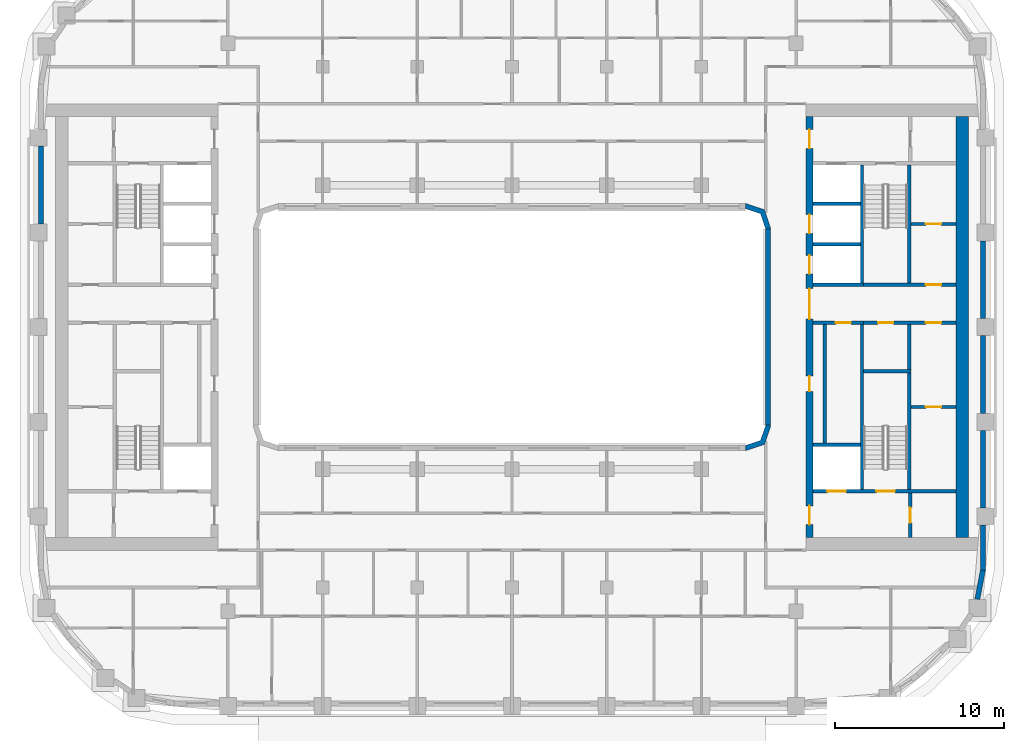
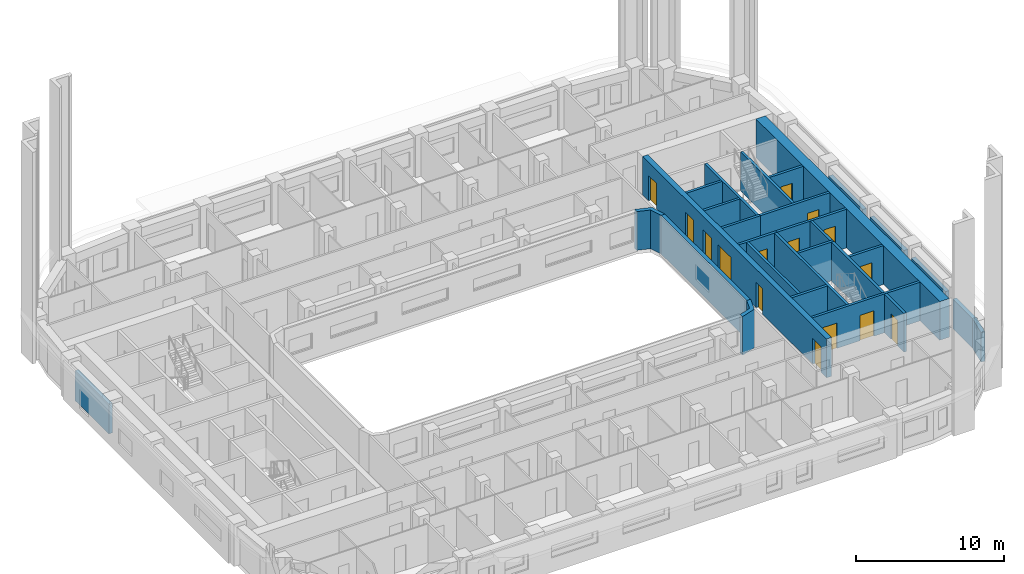
# One storey, part 6 of 22: 29 walls, 15 doors, 15 openings.
"""IFC4 building model written with IfcOpenShell, lengths in metres."""

from ifc_helpers import new_model, si_unit, direction, frame, frame_2d, origin, place, context, subcontext, project, spatial, polyline, rectangle, outline, extrude, material, layer, layer_set, type_object, element, fill, save


model = new_model("IFC4")

# Units and contexts
model_context = context("Model", 3, precision=1e-05, world=origin(), true_north=direction((0.0, 1.0)))
body_context = subcontext(model_context, "Body", "Model", "MODEL_VIEW")
ifc_project = project(units=[si_unit("LENGTHUNIT", "METRE"), si_unit("AREAUNIT", "SQUARE_METRE"), si_unit("VOLUMEUNIT", "CUBIC_METRE"), si_unit("PLANEANGLEUNIT", "RADIAN"), si_unit("MASSUNIT", "GRAM", prefix="KILO")], contexts=[model_context])

# Site, building, storey
site_placement = place(None, origin())
site = spatial("IfcSite", under=ifc_project, at=site_placement, CompositionType="ELEMENT")
building_placement = place(site_placement, origin())
building = spatial("IfcBuilding", under=site, at=building_placement, Name="Kiln Ring Residences", CompositionType="ELEMENT")
storey_placement = place(building_placement, frame((0.0, 0.0, 160.60009765625)))
storey = spatial("IfcBuildingStorey", under=building, at=storey_placement, Name="L41", CompositionType="ELEMENT", Elevation=160.60009765625)

# Wall
ifc_material_1 = material(Name="Gypsum board on steel studs", Category="steel")
ifc_layer_1 = layer(ifc_material_1, 0.199951171875)
ifc_layer_set_1 = layer_set([ifc_layer_1], Name="CORE-PARTITION-200")
wall_type_1 = type_object("IfcWallType", Name="CORE-PARTITION-200", PredefinedType="PARTITIONING", material=ifc_layer_set_1)
wall_1_placement = place(storey_placement, frame((23.5, -2.5, 0.0), z_axis=(0.0, 0.0, 1.0), x_axis=(0.0, 1.0, 0.0)))
element("IfcWall", 1, at=wall_1_placement, inside=storey, type_object=wall_type_1, Name="Core partition east L41 1", PredefinedType="PARTITIONING", context=body_context, shape_type="SweptSolid", body=[
    extrude(rectangle(XDim=2.64990234375, YDim=0.199951171875, at=frame_2d((1.324951171875, 0.0))), origin(), (0.0, 0.0, 1.0), 3.199951171875),
])

# Wall, openings, doors
wall_2_placement = place(storey_placement, frame((20.800048828125, 0.25, 0.0), z_axis=(0.0, 0.0, 1.0), x_axis=(1.0, 0.0, 0.0)))
wall_2 = element("IfcWall", 2, at=wall_2_placement, inside=storey, type_object=wall_type_1, Name="Core partition east L41 2", PredefinedType="PARTITIONING", context=body_context, shape_type="SweptSolid", body=[
    extrude(rectangle(XDim=5.449951171875, YDim=0.199951171875, at=frame_2d((2.72509765625, 0.0))), origin(), (0.0, 0.0, 1.0), 3.199951171875),
])
opening_1_placement = place(wall_2_placement, frame((0.85009765625, 0.0, 0.0)))
opening_1 = element("IfcOpeningElement", 3, at=opening_1_placement, cuts=wall_2, Name="Opening L41-CE14", PredefinedType="OPENING", context=body_context, shape_type="SweptSolid", body=[
    extrude(rectangle(XDim=0.89990234375, YDim=2.10009765625, at=frame_2d((0.449951171875, 1.050048828125))), frame((0.0, 0.10986328125, 0.0), z_axis=(0.0, -1.0, 0.0), x_axis=(1.0, 0.0, 0.0)), (0.0, 0.0, 1.0), 0.219970703125),
])
opening_2_placement = place(wall_2_placement, frame((3.675048828125, 0.0, 0.0)))
opening_2 = element("IfcOpeningElement", 4, at=opening_2_placement, cuts=wall_2, Name="Opening L41-CE16", PredefinedType="OPENING", context=body_context, shape_type="SweptSolid", body=[
    extrude(rectangle(XDim=0.89990234375, YDim=2.10009765625, at=frame_2d((0.449951171875, 1.050048828125))), frame((0.0, 0.10986328125, 0.0), z_axis=(0.0, -1.0, 0.0), x_axis=(1.0, 0.0, 0.0)), (0.0, 0.0, 1.0), 0.219970703125),
])
ifc_material_2 = material(Name="Steel door leaf", Category="steel")
door_type_1 = type_object("IfcDoorType", Name="CORE-DOOR-ROOM", OperationType="SINGLE_SWING_LEFT", PredefinedType="DOOR", material=ifc_material_2)
door_1_placement = place(opening_1_placement, origin())
door_1 = element("IfcDoor", 5, at=door_1_placement, inside=storey, type_object=door_type_1, Name="Comms room L41-CE14", OperationType="SINGLE_SWING_LEFT", OverallHeight=2.10009765625, OverallWidth=0.89990234375, PredefinedType="DOOR", context=body_context, shape_type="SweptSolid", body=[
    extrude(rectangle(XDim=0.89990234375, YDim=2.10009765625, at=frame_2d((0.449951171875, 1.050048828125))), frame((0.0, 0.02490234375, 0.0), z_axis=(0.0, -1.0, 0.0), x_axis=(1.0, 0.0, 0.0)), (0.0, 0.0, 1.0), 0.050048828125),
])
fill(opening_1, door_1)
door_2_placement = place(opening_2_placement, origin())
door_2 = element("IfcDoor", 6, at=door_2_placement, inside=storey, type_object=door_type_1, Name="Meter room L41-CE16", OperationType="SINGLE_SWING_LEFT", OverallHeight=2.10009765625, OverallWidth=0.89990234375, PredefinedType="DOOR", context=body_context, shape_type="SweptSolid", body=[
    extrude(rectangle(XDim=0.89990234375, YDim=2.10009765625, at=frame_2d((0.449951171875, 1.050048828125))), frame((0.0, 0.02490234375, 0.0), z_axis=(0.0, -1.0, 0.0), x_axis=(1.0, 0.0, 0.0)), (0.0, 0.0, 1.0), 0.050048828125),
])
fill(opening_2, door_2)

# Wall
wall_3_placement = place(storey_placement, frame((18.5, -6.85009765625, 0.0), z_axis=(0.0, 0.0, 1.0), x_axis=(0.0, 1.0, 0.0)))
element("IfcWall", 7, at=wall_3_placement, inside=storey, type_object=wall_type_1, Name="Core partition east L41 3", PredefinedType="PARTITIONING", context=body_context, shape_type="SweptSolid", body=[
    extrude(rectangle(XDim=7.0, YDim=0.199951171875, at=frame_2d((3.5, 0.0))), origin(), (0.0, 0.0, 1.0), 3.199951171875),
])

# Wall, opening, door
wall_4_placement = place(storey_placement, frame((23.550048828125, -12.449951171875, 0.0), z_axis=(0.0, 0.0, 1.0), x_axis=(0.0, 1.0, 0.0)))
wall_4 = element("IfcWall", 8, at=wall_4_placement, inside=storey, type_object=wall_type_1, Name="Core partition east L41 5", PredefinedType="PARTITIONING", context=body_context, shape_type="SweptSolid", body=[
    extrude(rectangle(XDim=2.64990234375, YDim=0.199951171875, at=frame_2d((1.324951171875, 0.0))), origin(), (0.0, 0.0, 1.0), 3.199951171875),
])
opening_3_placement = place(wall_4_placement, frame((0.875, 0.0, 0.0)))
opening_3 = element("IfcOpeningElement", 9, at=opening_3_placement, cuts=wall_4, Name="Opening L41-CE10", PredefinedType="OPENING", context=body_context, shape_type="SweptSolid", body=[
    extrude(rectangle(XDim=0.89990234375, YDim=2.10009765625, at=frame_2d((0.449951171875, 1.050048828125))), frame((0.0, 0.10986328125, 0.0), z_axis=(0.0, -1.0, 0.0), x_axis=(1.0, 0.0, 0.0)), (0.0, 0.0, 1.0), 0.219970703125),
])
door_3_placement = place(opening_3_placement, origin())
door_3 = element("IfcDoor", 10, at=door_3_placement, inside=storey, type_object=door_type_1, Name="Store L41-CE10", OperationType="SINGLE_SWING_LEFT", OverallHeight=2.10009765625, OverallWidth=0.89990234375, PredefinedType="DOOR", context=body_context, shape_type="SweptSolid", body=[
    extrude(rectangle(XDim=0.89990234375, YDim=2.10009765625, at=frame_2d((0.449951171875, 1.050048828125))), frame((0.0, 0.02490234375, 0.0), z_axis=(0.0, -1.0, 0.0), x_axis=(1.0, 0.0, 0.0)), (0.0, 0.0, 1.0), 0.050048828125),
])
fill(opening_3, door_3)

wall_5_placement = place(storey_placement, frame((23.60009765625, -4.72509765625, 0.0), z_axis=(0.0, 0.0, 1.0), x_axis=(1.0, 0.0, 0.0)))
wall_5 = element("IfcWall", 11, at=wall_5_placement, inside=storey, type_object=wall_type_1, Name="Core partition east L41 6", PredefinedType="PARTITIONING", context=body_context, shape_type="SweptSolid", body=[
    extrude(rectangle(XDim=2.64990234375, YDim=0.199951171875, at=frame_2d((1.324951171875, 0.0))), origin(), (0.0, 0.0, 1.0), 3.199951171875),
])
opening_4_placement = place(wall_5_placement, frame((0.875, 0.0, 0.0)))
opening_4 = element("IfcOpeningElement", 12, at=opening_4_placement, cuts=wall_5, Name="Opening L41-CE15", PredefinedType="OPENING", context=body_context, shape_type="SweptSolid", body=[
    extrude(rectangle(XDim=0.89990234375, YDim=2.10009765625, at=frame_2d((0.449951171875, 1.050048828125))), frame((0.0, 0.10986328125, 0.0), z_axis=(0.0, -1.0, 0.0), x_axis=(1.0, 0.0, 0.0)), (0.0, 0.0, 1.0), 0.219970703125),
])
door_4_placement = place(opening_4_placement, origin())
door_4 = element("IfcDoor", 13, at=door_4_placement, inside=storey, type_object=door_type_1, Name="Meter room L41-CE15", OperationType="SINGLE_SWING_LEFT", OverallHeight=2.10009765625, OverallWidth=0.89990234375, PredefinedType="DOOR", context=body_context, shape_type="SweptSolid", body=[
    extrude(rectangle(XDim=0.89990234375, YDim=2.10009765625, at=frame_2d((0.449951171875, 1.050048828125))), frame((0.0, 0.02490234375, 0.0), z_axis=(0.0, -1.0, 0.0), x_axis=(1.0, 0.0, 0.0)), (0.0, 0.0, 1.0), 0.050048828125),
])
fill(opening_4, door_4)

wall_6_placement = place(storey_placement, frame((23.60009765625, 6.10009765625, 0.0), z_axis=(0.0, 0.0, 1.0), x_axis=(1.0, 0.0, 0.0)))
wall_6 = element("IfcWall", 14, at=wall_6_placement, inside=storey, type_object=wall_type_1, Name="Core partition east L41 7", PredefinedType="PARTITIONING", context=body_context, shape_type="SweptSolid", body=[
    extrude(rectangle(XDim=2.64990234375, YDim=0.199951171875, at=frame_2d((1.324951171875, 0.0))), origin(), (0.0, 0.0, 1.0), 3.199951171875),
])
opening_5_placement = place(wall_6_placement, frame((0.875, 0.0, 0.0)))
opening_5 = element("IfcOpeningElement", 15, at=opening_5_placement, cuts=wall_6, Name="Opening L41-CE17", PredefinedType="OPENING", context=body_context, shape_type="SweptSolid", body=[
    extrude(rectangle(XDim=0.89990234375, YDim=2.10009765625, at=frame_2d((0.449951171875, 1.050048828125))), frame((0.0, 0.10986328125, 0.0), z_axis=(0.0, -1.0, 0.0), x_axis=(1.0, 0.0, 0.0)), (0.0, 0.0, 1.0), 0.219970703125),
])
door_5_placement = place(opening_5_placement, origin())
door_5 = element("IfcDoor", 16, at=door_5_placement, inside=storey, type_object=door_type_1, Name="Comms room L41-CE17", OperationType="SINGLE_SWING_LEFT", OverallHeight=2.10009765625, OverallWidth=0.89990234375, PredefinedType="DOOR", context=body_context, shape_type="SweptSolid", body=[
    extrude(rectangle(XDim=0.89990234375, YDim=2.10009765625, at=frame_2d((0.449951171875, 1.050048828125))), frame((0.0, 0.02490234375, 0.0), z_axis=(0.0, -1.0, 0.0), x_axis=(1.0, 0.0, 0.0)), (0.0, 0.0, 1.0), 0.050048828125),
])
fill(opening_5, door_5)

# Wall
ifc_material_3 = material(Name="Gypsum shaft wall system")
ifc_layer_2 = layer(ifc_material_3, 0.199951171875)
ifc_layer_set_2 = layer_set([ifc_layer_2], Name="CORE-SHAFT-WALL-200")
wall_type_2 = type_object("IfcWallType", Name="CORE-SHAFT-WALL-200", PredefinedType="PARTITIONING", material=ifc_layer_set_2)
wall_7_placement = place(storey_placement, frame((17.800048828125, -6.949951171875, 0.0), z_axis=(0.0, 0.0, 1.0), x_axis=(1.0, 0.0, 0.0)))
element("IfcWall", 17, at=wall_7_placement, inside=storey, type_object=wall_type_2, Name="Core partition east L41 8", PredefinedType="PARTITIONING", context=body_context, shape_type="SweptSolid", body=[
    extrude(rectangle(XDim=2.800048828125, YDim=0.199951171875, at=frame_2d((1.39990234375, 0.0))), origin(), (0.0, 0.0, 1.0), 3.199951171875),
])

# Wall, opening, door
wall_8_placement = place(storey_placement, frame((17.800048828125, 0.25, 0.0), z_axis=(0.0, 0.0, 1.0), x_axis=(1.0, 0.0, 0.0)))
wall_8 = element("IfcWall", 18, at=wall_8_placement, inside=storey, type_object=wall_type_2, Name="Core partition east L41 9", PredefinedType="PARTITIONING", context=body_context, shape_type="SweptSolid", body=[
    extrude(rectangle(XDim=3.0, YDim=0.199951171875, at=frame_2d((1.5, 0.0))), origin(), (0.0, 0.0, 1.0), 3.199951171875),
])
opening_6_placement = place(wall_8_placement, frame((1.35009765625, 0.0, 0.0)))
opening_6 = element("IfcOpeningElement", 19, at=opening_6_placement, cuts=wall_8, Name="Opening L41-CE03", PredefinedType="OPENING", context=body_context, shape_type="SweptSolid", body=[
    extrude(rectangle(XDim=0.89990234375, YDim=2.10009765625, at=frame_2d((0.449951171875, 1.050048828125))), frame((0.0, 0.10986328125, 0.0), z_axis=(0.0, -1.0, 0.0), x_axis=(1.0, 0.0, 0.0)), (0.0, 0.0, 1.0), 0.219970703125),
])
door_6_placement = place(opening_6_placement, origin())
door_6 = element("IfcDoor", 20, at=door_6_placement, inside=storey, type_object=door_type_1, Name="Service store L41-CE03", OperationType="SINGLE_SWING_RIGHT", OverallHeight=2.10009765625, OverallWidth=0.89990234375, PredefinedType="DOOR", context=body_context, shape_type="SweptSolid", body=[
    extrude(rectangle(XDim=0.89990234375, YDim=2.10009765625, at=frame_2d((0.449951171875, 1.050048828125))), frame((0.0, 0.02490234375, 0.0), z_axis=(0.0, -1.0, 0.0), x_axis=(1.0, 0.0, 0.0)), (0.0, 0.0, 1.0), 0.050048828125),
])
fill(opening_6, door_6)

# Walls
wall_9_placement = place(storey_placement, frame((17.800048828125, 2.5, 0.0), z_axis=(0.0, 0.0, 1.0), x_axis=(1.0, 0.0, 0.0)))
element("IfcWall", 21, at=wall_9_placement, inside=storey, type_object=wall_type_2, Name="Core partition east L41 10", PredefinedType="PARTITIONING", context=body_context, shape_type="SweptSolid", body=[
    extrude(rectangle(XDim=3.0, YDim=0.199951171875, at=frame_2d((1.5, 0.0))), origin(), (0.0, 0.0, 1.0), 3.199951171875),
])
for number, where, z_axis, x_axis, name in (
    (22, (17.800048828125, 4.89990234375, 0.0), (0.0, 0.0, 1.0), (1.0, 0.0, 0.0), "Core partition east L41 11"),
    (23, (17.800048828125, 7.300048828125, 0.0), (0.0, 0.0, 1.0), (1.0, 0.0, 0.0), "Core partition east L41 12"),
):
    element("IfcWall", number, at=place(storey_placement, frame(where, z_axis=z_axis, x_axis=x_axis)), inside=storey, type_object=wall_type_2, Name=name, PredefinedType="PARTITIONING", context=body_context, shape_type="SweptSolid", body=[
        extrude(rectangle(XDim=2.800048828125, YDim=0.199951171875, at=frame_2d((1.39990234375, 0.0))), origin(), (0.0, 0.0, 1.0), 3.199951171875),
    ])
ifc_material_4 = material(Name="Concrete C40/50", Category="concrete")
ifc_layer_3 = layer(ifc_material_4, 0.199951171875)
ifc_layer_set_3 = layer_set([ifc_layer_3], Name="CORE-WALL-RC200")
wall_type_3 = type_object("IfcWallType", Name="CORE-WALL-RC200", PredefinedType="SHEAR", material=ifc_layer_set_3)
wall_10_placement = place(storey_placement, frame((20.699951171875, 2.60009765625, 0.0), z_axis=(0.0, 0.0, 1.0), x_axis=(0.0, 1.0, 0.0)))
element("IfcWall", 24, at=wall_10_placement, inside=storey, type_object=wall_type_3, Name="Core wall east L41 1", PredefinedType="SHEAR", context=body_context, shape_type="SweptSolid", body=[
    extrude(rectangle(XDim=7.0, YDim=0.199951171875, at=frame_2d((3.5, 0.0))), origin(), (0.0, 0.0, 1.0), 3.199951171875),
])
wall_11_placement = place(storey_placement, frame((20.699951171875, -9.60009765625, 0.0), z_axis=(0.0, 0.0, 1.0), x_axis=(0.0, 1.0, 0.0)))
element("IfcWall", 25, at=wall_11_placement, inside=storey, type_object=wall_type_3, Name="Core wall east L41 2", PredefinedType="SHEAR", context=body_context, shape_type="SweptSolid", body=[
    extrude(rectangle(XDim=9.75, YDim=0.199951171875, at=frame_2d((4.875, 0.0))), origin(), (0.0, 0.0, 1.0), 3.199951171875),
])

# Wall, opening, door
wall_12_placement = place(storey_placement, frame((20.800048828125, 2.5, 0.0), z_axis=(0.0, 0.0, 1.0), x_axis=(1.0, 0.0, 0.0)))
wall_12 = element("IfcWall", 26, at=wall_12_placement, inside=storey, type_object=wall_type_3, Name="Core wall east L41 3", PredefinedType="SHEAR", context=body_context, shape_type="SweptSolid", body=[
    extrude(rectangle(XDim=5.449951171875, YDim=0.199951171875, at=frame_2d((2.72509765625, 0.0))), origin(), (0.0, 0.0, 1.0), 3.199951171875),
])
opening_7_placement = place(wall_12_placement, frame((3.675048828125, 0.0, 0.0)))
opening_7 = element("IfcOpeningElement", 27, at=opening_7_placement, cuts=wall_12, Name="Opening L41-CE18", PredefinedType="OPENING", context=body_context, shape_type="SweptSolid", body=[
    extrude(rectangle(XDim=0.89990234375, YDim=2.10009765625, at=frame_2d((0.449951171875, 1.050048828125))), frame((0.0, 0.10986328125, 0.0), z_axis=(0.0, -1.0, 0.0), x_axis=(1.0, 0.0, 0.0)), (0.0, 0.0, 1.0), 0.219970703125),
])
door_7_placement = place(opening_7_placement, origin())
door_7 = element("IfcDoor", 28, at=door_7_placement, inside=storey, type_object=door_type_1, Name="Electrical plant room L41-CE18", OperationType="SINGLE_SWING_RIGHT", OverallHeight=2.10009765625, OverallWidth=0.89990234375, PredefinedType="DOOR", context=body_context, shape_type="SweptSolid", body=[
    extrude(rectangle(XDim=0.89990234375, YDim=2.10009765625, at=frame_2d((0.449951171875, 1.050048828125))), frame((0.0, 0.02490234375, 0.0), z_axis=(0.0, -1.0, 0.0), x_axis=(1.0, 0.0, 0.0)), (0.0, 0.0, 1.0), 0.050048828125),
])
fill(opening_7, door_7)

# Wall, openings, doors
wall_13_placement = place(storey_placement, frame((17.800048828125, -9.699951171875, 0.0), z_axis=(0.0, 0.0, 1.0), x_axis=(1.0, 0.0, 0.0)))
wall_13 = element("IfcWall", 29, at=wall_13_placement, inside=storey, type_object=wall_type_3, Name="Core wall east L41 8", PredefinedType="SHEAR", context=body_context, shape_type="SweptSolid", body=[
    extrude(rectangle(XDim=8.449951171875, YDim=0.199951171875, at=frame_2d((4.22509765625, 0.0))), origin(), (0.0, 0.0, 1.0), 3.199951171875),
])
opening_8_placement = place(wall_13_placement, frame((0.85009765625, 0.0, 0.0)))
opening_8 = element("IfcOpeningElement", 30, at=opening_8_placement, cuts=wall_13, Name="Opening L41-CE01", PredefinedType="OPENING", context=body_context, shape_type="SweptSolid", body=[
    extrude(rectangle(XDim=1.10009765625, YDim=2.10009765625, at=frame_2d((0.550048828125, 1.050048828125))), frame((0.0, 0.10986328125, 0.0), z_axis=(0.0, -1.0, 0.0), x_axis=(1.0, 0.0, 0.0)), (0.0, 0.0, 1.0), 0.219970703125),
])
opening_9_placement = place(wall_13_placement, frame((3.75, 0.0, 0.0)))
opening_9 = element("IfcOpeningElement", 31, at=opening_9_placement, cuts=wall_13, Name="Opening L41-CE12", PredefinedType="OPENING", context=body_context, shape_type="SweptSolid", body=[
    extrude(rectangle(XDim=1.10009765625, YDim=2.10009765625, at=frame_2d((0.550048828125, 1.050048828125))), frame((0.0, 0.10986328125, 0.0), z_axis=(0.0, -1.0, 0.0), x_axis=(1.0, 0.0, 0.0)), (0.0, 0.0, 1.0), 0.219970703125),
])
ifc_material_5 = material(Name="Steel door leaf", Category="steel")
door_type_2 = type_object("IfcDoorType", Name="CORE-DOOR-LD", OperationType="DOUBLE_DOOR_SLIDING", PredefinedType="DOOR", material=ifc_material_5)
door_8_placement = place(opening_8_placement, origin())
door_8 = element("IfcDoor", 32, at=door_8_placement, inside=storey, type_object=door_type_2, Name="LD E-SV L41-CE01", OperationType="DOUBLE_DOOR_SLIDING", OverallHeight=2.10009765625, OverallWidth=1.10009765625, PredefinedType="DOOR", context=body_context, shape_type="SweptSolid", body=[
    extrude(rectangle(XDim=1.10009765625, YDim=2.10009765625, at=frame_2d((0.550048828125, 1.050048828125))), frame((0.0, 0.02490234375, 0.0), z_axis=(0.0, -1.0, 0.0), x_axis=(1.0, 0.0, 0.0)), (0.0, 0.0, 1.0), 0.050048828125),
])
fill(opening_8, door_8)
ifc_material_6 = material(Name="Steel door leaf", Category="steel")
door_type_3 = type_object("IfcDoorType", Name="CORE-DOOR-STAIR", OperationType="SINGLE_SWING_LEFT", PredefinedType="DOOR", material=ifc_material_6)
door_9_placement = place(opening_9_placement, origin())
door_9 = element("IfcDoor", 33, at=door_9_placement, inside=storey, type_object=door_type_3, Name="Stair E-STS L41-CE12", OperationType="SINGLE_SWING_RIGHT", OverallHeight=2.10009765625, OverallWidth=1.10009765625, PredefinedType="DOOR", context=body_context, shape_type="SweptSolid", body=[
    extrude(rectangle(XDim=1.10009765625, YDim=2.10009765625, at=frame_2d((0.550048828125, 1.050048828125))), frame((0.0, 0.02490234375, 0.0), z_axis=(0.0, -1.0, 0.0), x_axis=(1.0, 0.0, 0.0)), (0.0, 0.0, 1.0), 0.050048828125),
])
fill(opening_9, door_9)

# Walls
wall_14_placement = place(storey_placement, frame((23.5, 2.60009765625, 0.0), z_axis=(0.0, 0.0, 1.0), x_axis=(0.0, 1.0, 0.0)))
element("IfcWall", 34, at=wall_14_placement, inside=storey, type_object=wall_type_3, Name="Core wall east L41 10", PredefinedType="SHEAR", context=body_context, shape_type="SweptSolid", body=[
    extrude(rectangle(XDim=7.0, YDim=0.199951171875, at=frame_2d((3.5, 0.0))), origin(), (0.0, 0.0, 1.0), 3.199951171875),
])
wall_15_placement = place(storey_placement, frame((23.5, -9.60009765625, 0.0), z_axis=(0.0, 0.0, 1.0), x_axis=(0.0, 1.0, 0.0)))
element("IfcWall", 35, at=wall_15_placement, inside=storey, type_object=wall_type_3, Name="Core wall east L41 11", PredefinedType="SHEAR", context=body_context, shape_type="SweptSolid", body=[
    extrude(rectangle(XDim=6.900146484375, YDim=0.199951171875, at=frame_2d((3.4501953125, 0.0))), origin(), (0.0, 0.0, 1.0), 3.199951171875),
])
wall_16_placement = place(storey_placement, frame((20.800048828125, -2.60009765625, 0.0), z_axis=(0.0, 0.0, 1.0), x_axis=(1.0, 0.0, 0.0)))
element("IfcWall", 36, at=wall_16_placement, inside=storey, type_object=wall_type_3, Name="Core wall east L41 12", PredefinedType="SHEAR", context=body_context, shape_type="SweptSolid", body=[
    extrude(rectangle(XDim=2.800048828125, YDim=0.199951171875, at=frame_2d((1.39990234375, 0.0))), origin(), (0.0, 0.0, 1.0), 3.199951171875),
])

# Wall, openings, doors
ifc_material_7 = material(Name="Concrete C60/75", Category="concrete")
ifc_layer_4 = layer(ifc_material_7, 0.39990234375)
ifc_layer_set_4 = layer_set([ifc_layer_4], Name="CORE-WALL-RC400")
wall_type_4 = type_object("IfcWallType", Name="CORE-WALL-RC400", PredefinedType="SHEAR", material=ifc_layer_set_4)
wall_17_placement = place(storey_placement, frame((17.60009765625, -12.449951171875, 0.0), z_axis=(0.0, 0.0, 1.0), x_axis=(0.0, 1.0, 0.0)))
wall_17 = element("IfcWall", 37, at=wall_17_placement, inside=storey, type_object=wall_type_4, Name="Core wall east L41 6", PredefinedType="SHEAR", context=body_context, shape_type="SweptSolid", body=[
    extrude(rectangle(XDim=24.89990234375, YDim=0.39990234375, at=frame_2d((12.449951171875, 0.0))), origin(), (0.0, 0.0, 1.0), 3.199951171875),
])
opening_10_placement = place(wall_17_placement, frame((8.64990234375, 0.0, 0.0)))
opening_10 = element("IfcOpeningElement", 38, at=opening_10_placement, cuts=wall_17, Name="Opening L41-CE02", PredefinedType="OPENING", context=body_context, shape_type="SweptSolid", body=[
    extrude(rectangle(XDim=0.89990234375, YDim=2.10009765625, at=frame_2d((0.449951171875, 1.050048828125))), frame((0.0, 0.2099609375, 0.0), z_axis=(0.0, -1.0, 0.0), x_axis=(1.0, 0.0, 0.0)), (0.0, 0.0, 1.0), 0.419921875),
])
opening_11_placement = place(wall_17_placement, frame((15.60009765625, 0.0, 0.0)))
opening_11 = element("IfcOpeningElement", 39, at=opening_11_placement, cuts=wall_17, Name="Opening L41-CE04", PredefinedType="OPENING", context=body_context, shape_type="SweptSolid", body=[
    extrude(rectangle(XDim=1.10009765625, YDim=2.10009765625, at=frame_2d((0.550048828125, 1.050048828125))), frame((0.0, 0.2099609375, 0.0), z_axis=(0.0, -1.0, 0.0), x_axis=(1.0, 0.0, 0.0)), (0.0, 0.0, 1.0), 0.419921875),
])
opening_12_placement = place(wall_17_placement, frame((18.0, 0.0, 0.0)))
opening_12 = element("IfcOpeningElement", 40, at=opening_12_placement, cuts=wall_17, Name="Opening L41-CE05", PredefinedType="OPENING", context=body_context, shape_type="SweptSolid", body=[
    extrude(rectangle(XDim=1.10009765625, YDim=2.10009765625, at=frame_2d((0.550048828125, 1.050048828125))), frame((0.0, 0.2099609375, 0.0), z_axis=(0.0, -1.0, 0.0), x_axis=(1.0, 0.0, 0.0)), (0.0, 0.0, 1.0), 0.419921875),
])
opening_13_placement = place(wall_17_placement, frame((23.02490234375, 0.0, 0.0)))
opening_13 = element("IfcOpeningElement", 41, at=opening_13_placement, cuts=wall_17, Name="Opening L41-CE07", PredefinedType="OPENING", context=body_context, shape_type="SweptSolid", body=[
    extrude(rectangle(XDim=1.10009765625, YDim=2.10009765625, at=frame_2d((0.550048828125, 1.050048828125))), frame((0.0, 0.2099609375, 0.0), z_axis=(0.0, -1.0, 0.0), x_axis=(1.0, 0.0, 0.0)), (0.0, 0.0, 1.0), 0.419921875),
])
opening_14_placement = place(wall_17_placement, frame((0.77490234375, 0.0, 0.0)))
opening_14 = element("IfcOpeningElement", 42, at=opening_14_placement, cuts=wall_17, Name="Opening L41-CE08", PredefinedType="OPENING", context=body_context, shape_type="SweptSolid", body=[
    extrude(rectangle(XDim=1.10009765625, YDim=2.10009765625, at=frame_2d((0.550048828125, 1.050048828125))), frame((0.0, 0.2099609375, 0.0), z_axis=(0.0, -1.0, 0.0), x_axis=(1.0, 0.0, 0.0)), (0.0, 0.0, 1.0), 0.419921875),
])
opening_15_placement = place(wall_17_placement, frame((12.925048828125, 0.0, 0.0)))
opening_15 = element("IfcOpeningElement", 43, at=opening_15_placement, cuts=wall_17, Name="Opening L41-CE13", PredefinedType="OPENING", context=body_context, shape_type="SweptSolid", body=[
    extrude(rectangle(XDim=1.800048828125, YDim=2.10009765625, at=frame_2d((0.89990234375, 1.050048828125))), frame((0.0, 0.2099609375, 0.0), z_axis=(0.0, -1.0, 0.0), x_axis=(1.0, 0.0, 0.0)), (0.0, 0.0, 1.0), 0.419921875),
])
door_10_placement = place(opening_11_placement, origin())
door_10 = element("IfcDoor", 44, at=door_10_placement, inside=storey, type_object=door_type_2, Name="LD E-M1 L41-CE04", OperationType="DOUBLE_DOOR_SLIDING", OverallHeight=2.10009765625, OverallWidth=1.10009765625, PredefinedType="DOOR", context=body_context, shape_type="SweptSolid", body=[
    extrude(rectangle(XDim=1.10009765625, YDim=2.10009765625, at=frame_2d((0.550048828125, 1.050048828125))), frame((0.0, 0.02490234375, 0.0), z_axis=(0.0, -1.0, 0.0), x_axis=(1.0, 0.0, 0.0)), (0.0, 0.0, 1.0), 0.050048828125),
])
fill(opening_11, door_10)
door_11_placement = place(opening_12_placement, origin())
door_11 = element("IfcDoor", 45, at=door_11_placement, inside=storey, type_object=door_type_2, Name="LD E-M2 L41-CE05", OperationType="DOUBLE_DOOR_SLIDING", OverallHeight=2.10009765625, OverallWidth=1.10009765625, PredefinedType="DOOR", context=body_context, shape_type="SweptSolid", body=[
    extrude(rectangle(XDim=1.10009765625, YDim=2.10009765625, at=frame_2d((0.550048828125, 1.050048828125))), frame((0.0, 0.02490234375, 0.0), z_axis=(0.0, -1.0, 0.0), x_axis=(1.0, 0.0, 0.0)), (0.0, 0.0, 1.0), 0.050048828125),
])
fill(opening_12, door_11)
ifc_material_8 = material(Name="Steel door leaf", Category="steel")
door_type_4 = type_object("IfcDoorType", Name="CORE-DOOR-LOBBY", OperationType="SINGLE_SWING_LEFT", PredefinedType="DOOR", material=ifc_material_8)
door_12_placement = place(opening_13_placement, origin())
door_12 = element("IfcDoor", 46, at=door_12_placement, inside=storey, type_object=door_type_4, Name="FFL L41-CE07", OperationType="SINGLE_SWING_LEFT", OverallHeight=2.10009765625, OverallWidth=1.10009765625, PredefinedType="DOOR", context=body_context, shape_type="SweptSolid", body=[
    extrude(rectangle(XDim=1.10009765625, YDim=2.10009765625, at=frame_2d((0.550048828125, 1.050048828125))), frame((0.0, 0.02490234375, 0.0), z_axis=(0.0, -1.0, 0.0), x_axis=(1.0, 0.0, 0.0)), (0.0, 0.0, 1.0), 0.050048828125),
])
fill(opening_13, door_12)
door_13_placement = place(opening_14_placement, origin())
door_13 = element("IfcDoor", 47, at=door_13_placement, inside=storey, type_object=door_type_4, Name="SVL L41-CE08", OperationType="SINGLE_SWING_RIGHT", OverallHeight=2.10009765625, OverallWidth=1.10009765625, PredefinedType="DOOR", context=body_context, shape_type="SweptSolid", body=[
    extrude(rectangle(XDim=1.10009765625, YDim=2.10009765625, at=frame_2d((0.550048828125, 1.050048828125))), frame((0.0, 0.02490234375, 0.0), z_axis=(0.0, -1.0, 0.0), x_axis=(1.0, 0.0, 0.0)), (0.0, 0.0, 1.0), 0.050048828125),
])
fill(opening_14, door_13)
ifc_material_9 = material(Name="Steel door leaf", Category="steel")
door_type_5 = type_object("IfcDoorType", Name="CORE-DOOR-PASS", OperationType="DOUBLE_DOOR_SINGLE_SWING", PredefinedType="DOOR", material=ifc_material_9)
door_14_placement = place(opening_15_placement, origin())
door_14 = element("IfcDoor", 48, at=door_14_placement, inside=storey, type_object=door_type_5, Name="Core passage L41-CE13", OperationType="DOUBLE_DOOR_SINGLE_SWING", OverallHeight=2.10009765625, OverallWidth=1.800048828125, PredefinedType="DOOR", context=body_context, shape_type="SweptSolid", body=[
    extrude(rectangle(XDim=1.800048828125, YDim=2.10009765625, at=frame_2d((0.89990234375, 1.050048828125))), frame((0.0, 0.02490234375, 0.0), z_axis=(0.0, -1.0, 0.0), x_axis=(1.0, 0.0, 0.0)), (0.0, 0.0, 1.0), 0.050048828125),
])
fill(opening_15, door_14)
door_15_placement = place(opening_10_placement, origin())
door_15 = element("IfcDoor", 49, at=door_15_placement, inside=storey, type_object=door_type_1, Name="Locker store L41-CE02", OperationType="SINGLE_SWING_LEFT", OverallHeight=2.10009765625, OverallWidth=0.89990234375, PredefinedType="DOOR", context=body_context, shape_type="SweptSolid", body=[
    extrude(rectangle(XDim=0.89990234375, YDim=2.10009765625, at=frame_2d((0.449951171875, 1.050048828125))), frame((0.0, 0.02490234375, 0.0), z_axis=(0.0, -1.0, 0.0), x_axis=(1.0, 0.0, 0.0)), (0.0, 0.0, 1.0), 0.050048828125),
])
fill(opening_10, door_15)

# Walls
ifc_material_10 = material(Name="Concrete C60/75", Category="concrete")
ifc_layer_5 = layer(ifc_material_10, 0.75)
ifc_layer_set_5 = layer_set([ifc_layer_5], Name="CORE-WALL-RC750")
wall_type_5 = type_object("IfcWallType", Name="CORE-WALL-RC750", PredefinedType="SHEAR", material=ifc_layer_set_5)
wall_18_placement = place(storey_placement, frame((26.625, -12.449951171875, 0.0), z_axis=(0.0, 0.0, 1.0), x_axis=(0.0, 1.0, 0.0)))
element("IfcWall", 50, at=wall_18_placement, inside=storey, type_object=wall_type_5, Name="Core wall east L41 7", PredefinedType="SHEAR", context=body_context, shape_type="SweptSolid", body=[
    extrude(rectangle(XDim=24.89990234375, YDim=0.75, at=frame_2d((12.449951171875, 0.0))), origin(), (0.0, 0.0, 1.0), 3.199951171875),
])
ifc_material_11 = material(Name="Brick masonry, dark clay brick", Category="masonry")
ifc_layer_6 = layer(ifc_material_11, 0.300048828125)
ifc_layer_set_6 = layer_set([ifc_layer_6], Name="EW-300 BRICK WALL")
wall_type_6 = type_object("IfcWallType", Name="EW-300 BRICK WALL", PredefinedType="SOLIDWALL", material=ifc_layer_set_6)
wall_19_placement = place(storey_placement, frame((27.523681640625, -16.096923828125, 0.0), z_axis=(0.0, 0.0, 1.0), x_axis=(0.187259034321, 0.982310569049, 0.0)))
element("IfcWall", 51, at=wall_19_placement, inside=storey, type_object=wall_type_6, Name="Facade wall L41 16", PredefinedType="SOLIDWALL", context=body_context, shape_type="SweptSolid", body=[
    extrude(rectangle(XDim=1.756103515625, YDim=0.300048828125, at=frame_2d((0.8779296875, 0.0))), origin(), (0.0, 0.0, 1.0), 2.449951171875),
])
wall_20_placement = place(storey_placement, frame((27.85009765625, -14.39990234375, 0.0), z_axis=(0.0, 0.0, 1.0), x_axis=(0.0, 1.0, 0.0)))
element("IfcWall", 52, at=wall_20_placement, inside=storey, type_object=wall_type_6, Name="Facade wall L41 17", PredefinedType="SOLIDWALL", context=body_context, shape_type="SweptSolid", body=[
    extrude(rectangle(XDim=2.699951171875, YDim=0.300048828125, at=frame_2d((1.35009765625, 0.0))), origin(), (0.0, 0.0, 1.0), 2.449951171875),
])
wall_21_placement = place(storey_placement, frame((27.85009765625, -10.699951171875, 0.0), z_axis=(0.0, 0.0, 1.0), x_axis=(0.0, 1.0, 0.0)))
element("IfcWall", 53, at=wall_21_placement, inside=storey, type_object=wall_type_6, Name="Facade wall L41 18", PredefinedType="SOLIDWALL", context=body_context, shape_type="SweptSolid", body=[
    extrude(rectangle(XDim=4.599853515625, YDim=0.300048828125, at=frame_2d((2.2998046875, 0.0))), origin(), (0.0, 0.0, 1.0), 2.449951171875),
])
for number, where, z_axis, x_axis, name in (
    (54, (27.85009765625, -5.10009765625, 0.0), (0.0, 0.0, 1.0), (0.0, 1.0, 0.0), "Facade wall L41 19"),
    (55, (27.85009765625, 0.5, 0.0), (0.0, 0.0, 1.0), (0.0, 1.0, 0.0), "Facade wall L41 20"),
):
    element("IfcWall", number, at=place(storey_placement, frame(where, z_axis=z_axis, x_axis=x_axis)), inside=storey, type_object=wall_type_6, Name=name, PredefinedType="SOLIDWALL", context=body_context, shape_type="SweptSolid", body=[
        extrude(rectangle(XDim=4.60009765625, YDim=0.300048828125, at=frame_2d((2.300048828125, 0.0))), origin(), (0.0, 0.0, 1.0), 2.449951171875),
    ])
wall_22_placement = place(storey_placement, frame((-27.85009765625, 10.699951171875, 0.0), z_axis=(0.0, 0.0, 1.0), x_axis=(0.0, -1.0, 0.0)))
element("IfcWall", 56, at=wall_22_placement, inside=storey, type_object=wall_type_6, Name="Facade wall L41 42", PredefinedType="SOLIDWALL", context=body_context, shape_type="SweptSolid", body=[
    extrude(rectangle(XDim=4.599853515625, YDim=0.300048828125, at=frame_2d((2.2998046875, 0.0))), origin(), (0.0, 0.0, 1.0), 2.449951171875),
])
wall_23_placement = place(storey_placement, frame((15.14990234375, 5.800048828125, 0.0), z_axis=(0.0, 0.0, 1.0), x_axis=(0.0, -1.0, 0.0)))
element("IfcWall", 57, at=wall_23_placement, inside=storey, type_object=wall_type_6, Name="Facade wall L41 51", PredefinedType="SOLIDWALL", context=body_context, shape_type="SweptSolid", body=[
    extrude(rectangle(XDim=11.60009765625, YDim=0.300048828125, at=frame_2d((5.800048828125, 0.0))), origin(), (0.0, 0.0, 1.0), 3.199951171875),
])
placement = place(storey_placement, origin())
element("IfcWall", 58, at=placement, inside=storey, type_object=wall_type_6, Name="Corner wall L41 2", PredefinedType="SOLIDWALL", context=body_context, shape_type="SweptSolid", body=[
    extrude(outline(polyline([(14.937255859375, 6.937255859375), (13.8486328125, 7.300048828125), (13.800048828125, 7.300048828125), (13.800048828125, 7.0), (14.699951171875, 6.699951171875), (15.0, 5.800048828125), (15.300048828125, 5.800048828125), (15.300048828125, 5.8486328125), (14.937255859375, 6.937255859375)])), origin(), (0.0, 0.0, 1.0), 3.199951171875),
])
element("IfcWall", 59, at=placement, inside=storey, type_object=wall_type_6, Name="Corner wall L41 3", PredefinedType="SOLIDWALL", context=body_context, shape_type="SweptSolid", body=[
    extrude(outline(polyline([(14.937255859375, -6.937255859375), (15.300048828125, -5.8486328125), (15.300048828125, -5.800048828125), (15.0, -5.800048828125), (14.699951171875, -6.699951171875), (13.800048828125, -7.0), (13.800048828125, -7.300048828125), (13.8486328125, -7.300048828125), (14.937255859375, -6.937255859375)])), origin(), (0.0, 0.0, 1.0), 3.199951171875),
])

save(model, "model.ifc")
